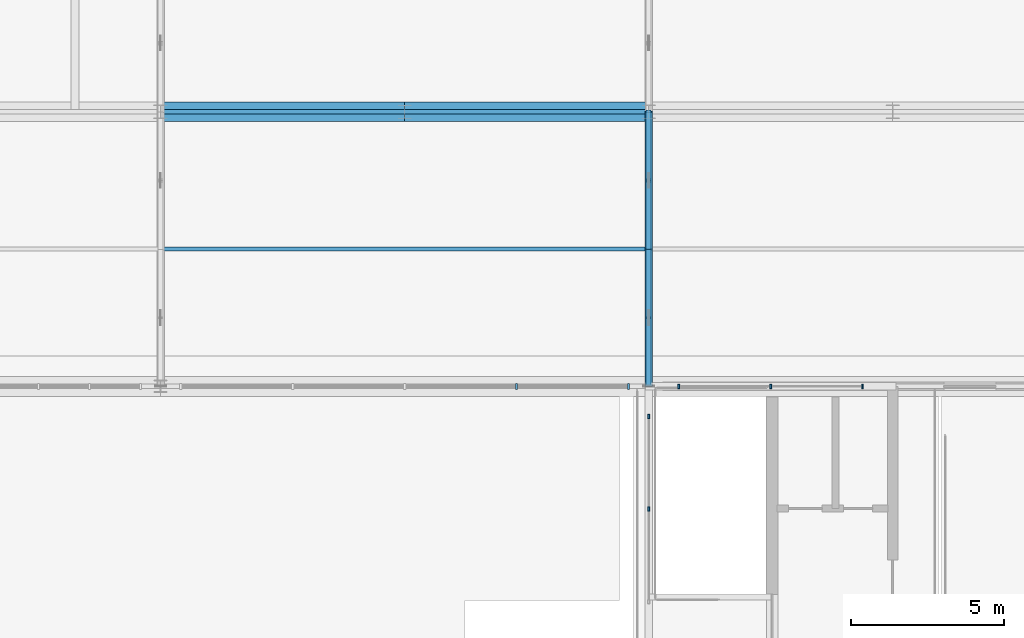
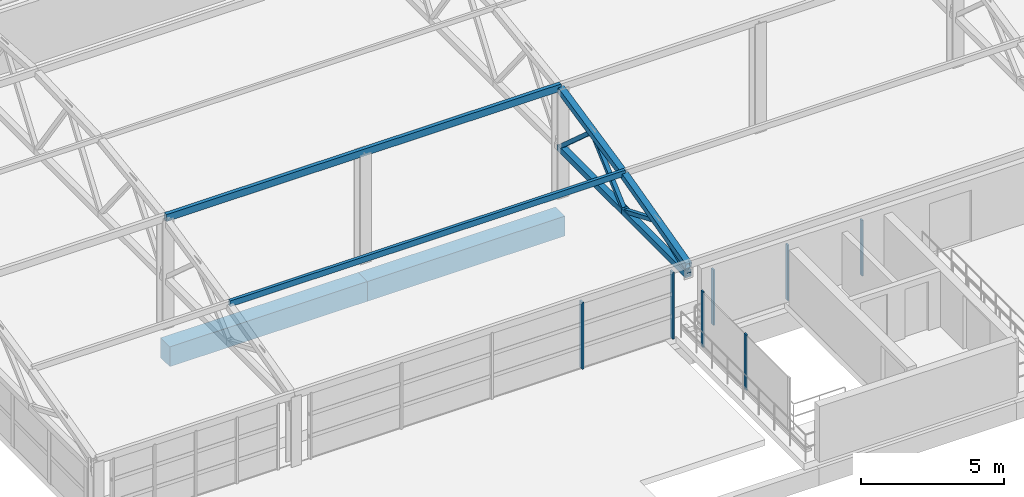
# One storey, part 15 of 50: 17 members, 2 beams, 3 elements without a shape of their own.
"""IFC4 building model written with IfcOpenShell, lengths in metres."""

from ifc_helpers import new_model, si_unit, derived_unit, direction, frame, origin, origin_2d, place, context, subcontext, project, spatial, rectangle, hollow_rectangle, extrude, material, layer, layer_set, material_profile, profile_set, type_object, element, aggregate, save


model = new_model("IFC4")

# Units and contexts
model_context = context("Model", 3, precision=1e-05, world=origin(), true_north=direction((0.0, 1.0)))
body_context = subcontext(model_context, "Body", "Model", "MODEL_VIEW")
ifc_project = project(units=[si_unit("LENGTHUNIT", "METRE"), si_unit("AREAUNIT", "SQUARE_METRE"), si_unit("VOLUMEUNIT", "CUBIC_METRE"), si_unit("PLANEANGLEUNIT", "RADIAN"), si_unit("MASSUNIT", "GRAM", prefix="KILO"), si_unit("THERMODYNAMICTEMPERATUREUNIT", "KELVIN"), derived_unit("THERMALTRANSMITTANCEUNIT", [(si_unit("POWERUNIT", "WATT"), 1), (si_unit("AREAUNIT", "SQUARE_METRE"), -1), (si_unit("THERMODYNAMICTEMPERATUREUNIT", "KELVIN"), -1)])], contexts=[model_context])

# Site, building, storey
site_placement = place(None, origin())
site = spatial("IfcSite", under=ifc_project, at=site_placement, CompositionType="ELEMENT")
building_placement = place(site_placement, origin())
building = spatial("IfcBuilding", under=site, at=building_placement, Name="Haiyu Intermodal Mobility Hub", CompositionType="ELEMENT")
storey_placement = place(building_placement, frame((0.0, 0.0, 25.10009765625)))
storey = spatial("IfcBuildingStorey", under=building, at=storey_placement, Name="L06", CompositionType="ELEMENT", Elevation=25.10009765625)

# Beams
ifc_material_1 = material(Name="Precast concrete C50", Category="concrete")
ifc_material_profile_1 = material_profile(ifc_material_1, rectangle(XDim=0.64990234375, YDim=0.85009765625, at=origin_2d()), Name="PC650x850")
ifc_profile_set_1 = profile_set([ifc_material_profile_1], Name="Precast concrete C50")
beam_type = type_object("IfcBeamType", Name="BM-IT03", PredefinedType="T_BEAM", material=ifc_profile_set_1)
for number, where, z_axis, x_axis, name in (
    (1, (46.0, 122.0, -0.705078125), (1.0, 0.0, 0.0), (0.0, 1.0, 0.0), "BM-V4G-L06-022"),
    (2, (54.0, 122.0, -0.705078125), (1.0, 0.0, 0.0), (0.0, 1.0, 0.0), "BM-V4G-L06-023"),
):
    element("IfcBeam", number, at=place(storey_placement, frame(where, z_axis=z_axis, x_axis=x_axis)), inside=storey, type_object=beam_type, Name=name, PredefinedType="T_BEAM", context=body_context, shape_type="SweptSolid", body=[
        extrude(rectangle(XDim=0.64990234375, YDim=0.85009765625, at=origin_2d()), origin(), (0.0, 0.0, 1.0), 8.0),
    ])

# Curtain wall, members
ifc_material_2 = material(Name="Low-e laminated insulating glass", Category="glass")
ifc_layer_1 = layer(ifc_material_2, 0.22998046875)
ifc_layer_set_1 = layer_set([ifc_layer_1], Name="Low-e laminated insulating glass")
curtain_wall_type_1 = type_object("IfcCurtainWallType", Name="CW-CW05", PredefinedType="NOTDEFINED", material=ifc_layer_set_1)
curtain_wall_1_placement = place(storey_placement, origin())
curtain_wall_1 = element("IfcCurtainWall", 3, at=curtain_wall_1_placement, inside=storey, type_object=curtain_wall_type_1, Name="Curtain Wall CW-V3S-157", PredefinedType="NOTDEFINED")
ifc_material_3 = material(Name="Anodised aluminium 6063-T6", Category="aluminium")
ifc_material_profile_2 = material_profile(ifc_material_3, rectangle(XDim=0.074951171875, YDim=0.199951171875, at=origin_2d()), Name="ALU75x200")
ifc_profile_set_2 = profile_set([ifc_material_profile_2], Name="Anodised aluminium 6063-T6")
member_type_1 = type_object("IfcMemberType", Name="CWM-ML01", PredefinedType="MULLION", material=ifc_profile_set_2)
member_1_placement = place(storey_placement, frame((57.669921875, 113.0, 0.0), z_axis=(0.0, 0.0, 1.0), x_axis=(1.0, 0.0, 0.0)))
member_1 = element("IfcMember", 4, at=member_1_placement, type_object=member_type_1, Name="CW-V3S-157-ML04", PredefinedType="MULLION", context=body_context, shape_type="SweptSolid", body=[
    extrude(rectangle(XDim=0.074951171875, YDim=0.199951171875, at=origin_2d()), origin(), (0.0, 0.0, 1.0), 2.849853515625),
])
member_2_placement = place(storey_placement, frame((61.340087890625, 113.0, 0.0), z_axis=(0.0, 0.0, 1.0), x_axis=(1.0, 0.0, 0.0)))
member_2 = element("IfcMember", 5, at=member_2_placement, type_object=member_type_1, Name="CW-V3S-157-ML05", PredefinedType="MULLION", context=body_context, shape_type="SweptSolid", body=[
    extrude(rectangle(XDim=0.074951171875, YDim=0.199951171875, at=origin_2d()), origin(), (0.0, 0.0, 1.0), 2.849853515625),
])
aggregate(curtain_wall_1, [member_1, member_2])

ifc_layer_2 = layer(ifc_material_2, 0.199951171875)
ifc_layer_set_2 = layer_set([ifc_layer_2], Name="Low-e laminated insulating glass")
curtain_wall_type_2 = type_object("IfcCurtainWallType", Name="CW-CW03", PredefinedType="NOTDEFINED", material=ifc_layer_set_2)
curtain_wall_2_placement = place(storey_placement, origin())
curtain_wall_2 = element("IfcCurtainWall", 6, at=curtain_wall_2_placement, inside=storey, type_object=curtain_wall_type_2, Name="Curtain Wall CW-CPAR-C5-N", PredefinedType="NOTDEFINED")
ifc_material_profile_3 = material_profile(ifc_material_3, rectangle(XDim=0.06005859375, YDim=0.14501953125, at=origin_2d()), Name="ALU60x145")
ifc_profile_set_3 = profile_set([ifc_material_profile_3], Name="Anodised aluminium 6063-T6")
member_type_2 = type_object("IfcMemberType", Name="CWM-ML03", PredefinedType="MULLION", material=ifc_profile_set_3)
member_3_placement = place(storey_placement, frame((69.010009765625, 113.0, 0.0), z_axis=(0.0, 0.0, 1.0), x_axis=(1.0, 0.0, 0.0)))
member_3 = element("IfcMember", 7, at=member_3_placement, type_object=member_type_2, Name="CW-CPAR-C5-N-ML01", PredefinedType="MULLION", context=body_context, shape_type="SweptSolid", body=[
    extrude(rectangle(XDim=0.06005859375, YDim=0.14501953125, at=origin_2d()), origin(), (0.0, 0.0, 1.0), 2.380859375),
])
member_4_placement = place(storey_placement, frame((66.0, 113.0, 0.0), z_axis=(0.0, 0.0, 1.0), x_axis=(1.0, 0.0, 0.0)))
member_4 = element("IfcMember", 8, at=member_4_placement, type_object=member_type_2, Name="CW-CPAR-C5-N-ML02", PredefinedType="MULLION", context=body_context, shape_type="SweptSolid", body=[
    extrude(rectangle(XDim=0.06005859375, YDim=0.14501953125, at=origin_2d()), origin(), (0.0, 0.0, 1.0), 2.380859375),
])
member_5_placement = place(storey_placement, frame((62.989990234375, 113.0, 0.0), z_axis=(0.0, 0.0, 1.0), x_axis=(1.0, 0.0, 0.0)))
member_5 = element("IfcMember", 9, at=member_5_placement, type_object=member_type_2, Name="CW-CPAR-C5-N-ML03", PredefinedType="MULLION", context=body_context, shape_type="SweptSolid", body=[
    extrude(rectangle(XDim=0.06005859375, YDim=0.14501953125, at=origin_2d()), origin(), (0.0, 0.0, 1.0), 2.380859375),
])
aggregate(curtain_wall_2, [member_3, member_4, member_5])

curtain_wall_3_placement = place(storey_placement, origin())
curtain_wall_3 = element("IfcCurtainWall", 10, at=curtain_wall_3_placement, inside=storey, type_object=curtain_wall_type_2, Name="Curtain Wall CW-CPAR-C5-W", PredefinedType="NOTDEFINED")
member_6_placement = place(storey_placement, frame((62.0, 112.010009765625, 0.0), z_axis=(0.0, 0.0, 1.0), x_axis=(1.0, 0.0, 0.0)))
member_6 = element("IfcMember", 11, at=member_6_placement, type_object=member_type_2, Name="CW-CPAR-C5-W-ML01", PredefinedType="MULLION", context=body_context, shape_type="SweptSolid", body=[
    extrude(rectangle(XDim=0.06005859375, YDim=0.14501953125, at=origin_2d()), origin(), (0.0, 0.0, 1.0), 2.380859375),
])
member_7_placement = place(storey_placement, frame((62.0, 108.97509765625, 0.0), z_axis=(0.0, 0.0, 1.0), x_axis=(1.0, 0.0, 0.0)))
member_7 = element("IfcMember", 12, at=member_7_placement, type_object=member_type_2, Name="CW-CPAR-C5-W-ML02", PredefinedType="MULLION", context=body_context, shape_type="SweptSolid", body=[
    extrude(rectangle(XDim=0.06005859375, YDim=0.14501953125, at=origin_2d()), origin(), (0.0, 0.0, 1.0), 2.380859375),
])
aggregate(curtain_wall_3, [member_6, member_7])

# Members
ifc_material_4 = material(Name="Steel Q355C", Category="steel")
ifc_material_profile_4 = material_profile(ifc_material_4, hollow_rectangle(XDim=0.25, YDim=0.25, WallThickness=0.010009765625, at=origin_2d()), Name="SHS250x250x10")
ifc_profile_set_4 = profile_set([ifc_material_profile_4], Name="Steel Q355C")
member_type_3 = type_object("IfcMemberType", Name="MEM-CH01", PredefinedType="CHORD", material=ifc_profile_set_4)
member_8_placement = place(storey_placement, frame((62.0, 113.0, 2.85986328125), z_axis=(0.0, 0.968399815357, 0.249402882134), x_axis=(-1.0, 0.0, 0.0)))
element("IfcMember", 13, at=member_8_placement, inside=storey, type_object=member_type_3, Name="MEM-PAV-TC-017", PredefinedType="CHORD", context=body_context, shape_type="SweptSolid", body=[
    extrude(hollow_rectangle(XDim=0.25, YDim=0.25, WallThickness=0.010009765625, at=origin_2d()), origin(), (0.0, 0.0, 1.0), 4.646728515625),
])
member_9_placement = place(storey_placement, frame((62.0, 113.0, 2.5), z_axis=(0.0, 1.0, 0.0), x_axis=(-1.0, 0.0, 0.0)))
element("IfcMember", 14, at=member_9_placement, inside=storey, type_object=member_type_3, Name="MEM-PAV-BC-017", PredefinedType="CHORD", context=body_context, shape_type="SweptSolid", body=[
    extrude(hollow_rectangle(XDim=0.25, YDim=0.25, WallThickness=0.010009765625, at=origin_2d()), origin(), (0.0, 0.0, 1.0), 4.5),
])
member_10_placement = place(storey_placement, frame((62.0, 117.5, 4.018798828125), z_axis=(0.0, 0.97740646782, 0.211368390882), x_axis=(-1.0, 0.0, 0.0)))
element("IfcMember", 15, at=member_10_placement, inside=storey, type_object=member_type_3, Name="MEM-PAV-TC-018", PredefinedType="CHORD", context=body_context, shape_type="SweptSolid", body=[
    extrude(hollow_rectangle(XDim=0.25, YDim=0.25, WallThickness=0.010009765625, at=origin_2d()), origin(), (0.0, 0.0, 1.0), 4.60400390625),
])
member_11_placement = place(storey_placement, frame((62.0, 117.5, 2.5), z_axis=(0.0, 1.0, 0.0), x_axis=(-1.0, 0.0, 0.0)))
element("IfcMember", 16, at=member_11_placement, inside=storey, type_object=member_type_3, Name="MEM-PAV-BC-018", PredefinedType="CHORD", context=body_context, shape_type="SweptSolid", body=[
    extrude(hollow_rectangle(XDim=0.25, YDim=0.25, WallThickness=0.010009765625, at=origin_2d()), origin(), (0.0, 0.0, 1.0), 4.5),
])
ifc_material_profile_5 = material_profile(ifc_material_4, hollow_rectangle(XDim=0.159912109375, YDim=0.159912109375, WallThickness=0.006103515625, at=origin_2d()), Name="SHS160x160x6")
ifc_profile_set_5 = profile_set([ifc_material_profile_5], Name="Steel Q355C")
member_type_4 = type_object("IfcMemberType", Name="MEM-CH03", PredefinedType="CHORD", material=ifc_profile_set_5)
for number, where, z_axis, x_axis, name in (
    (17, (62.0, 113.0, 2.5), (0.0, 0.922721067399, 0.385468327852), (-1.0, 0.0, 0.0), "MEM-PAV-D1-017"),
    (18, (62.0, 115.25, 3.43994140625), (0.0, 0.922721067399, -0.385468327852), (-1.0, 0.0, 0.0), "MEM-PAV-D2-017"),
):
    element("IfcMember", number, at=place(storey_placement, frame(where, z_axis=z_axis, x_axis=x_axis)), inside=storey, type_object=member_type_4, Name=name, PredefinedType="CHORD", context=body_context, shape_type="SweptSolid", body=[
        extrude(hollow_rectangle(XDim=0.159912109375, YDim=0.159912109375, WallThickness=0.006103515625, at=origin_2d()), origin(), (0.0, 0.0, 1.0), 2.4384765625),
    ])
for number, where, z_axis, x_axis, name in (
    (19, (62.0, 117.5, 2.5), (0.0, 0.746443301458, 0.665449019616), (-1.0, 0.0, 0.0), "MEM-PAV-D1-018"),
    (20, (62.0, 119.75, 4.505859375), (0.0, 0.746443301458, -0.665449019616), (-1.0, 0.0, 0.0), "MEM-PAV-D2-018"),
):
    element("IfcMember", number, at=place(storey_placement, frame(where, z_axis=z_axis, x_axis=x_axis)), inside=storey, type_object=member_type_4, Name=name, PredefinedType="CHORD", context=body_context, shape_type="SweptSolid", body=[
        extrude(hollow_rectangle(XDim=0.159912109375, YDim=0.159912109375, WallThickness=0.006103515625, at=origin_2d()), origin(), (0.0, 0.0, 1.0), 3.014404296875),
    ])
ifc_material_profile_6 = material_profile(ifc_material_4, hollow_rectangle(XDim=0.14990234375, YDim=0.300048828125, WallThickness=0.010009765625, at=origin_2d()), Name="RHS300x150x10")
ifc_profile_set_6 = profile_set([ifc_material_profile_6], Name="Steel Q355C")
member_type_5 = type_object("IfcMemberType", Name="MEM-PR01", PredefinedType="PURLIN", material=ifc_profile_set_6)
member_12_placement = place(storey_placement, frame((46.0, 122.0, 5.079833984375), z_axis=(1.0, 0.0, 0.0), x_axis=(0.0, 1.0, 0.0)))
element("IfcMember", 21, at=member_12_placement, inside=storey, type_object=member_type_5, Name="MEM-PAV-PR-007", PredefinedType="PURLIN", context=body_context, shape_type="SweptSolid", body=[
    extrude(hollow_rectangle(XDim=0.14990234375, YDim=0.300048828125, WallThickness=0.010009765625, at=origin_2d()), origin(), (0.0, 0.0, 1.0), 16.0),
])
ifc_material_profile_7 = material_profile(ifc_material_4, hollow_rectangle(XDim=0.125, YDim=0.25, WallThickness=0.008056640625, at=origin_2d()), Name="RHS250x125x8")
ifc_profile_set_7 = profile_set([ifc_material_profile_7], Name="Steel Q355C")
member_type_6 = type_object("IfcMemberType", Name="MEM-PR02-INT", PredefinedType="PURLIN", material=ifc_profile_set_7)
member_13_placement = place(storey_placement, frame((46.0, 117.5, 4.1298828125), z_axis=(1.0, 0.0, 0.0), x_axis=(0.0, 1.0, 0.0)))
element("IfcMember", 22, at=member_13_placement, inside=storey, type_object=member_type_6, Name="MEM-PAV-SPR-002", PredefinedType="PURLIN", context=body_context, shape_type="SweptSolid", body=[
    extrude(hollow_rectangle(XDim=0.125, YDim=0.25, WallThickness=0.008056640625, at=origin_2d()), origin(), (0.0, 0.0, 1.0), 16.0),
])

save(model, "model.ifc")
